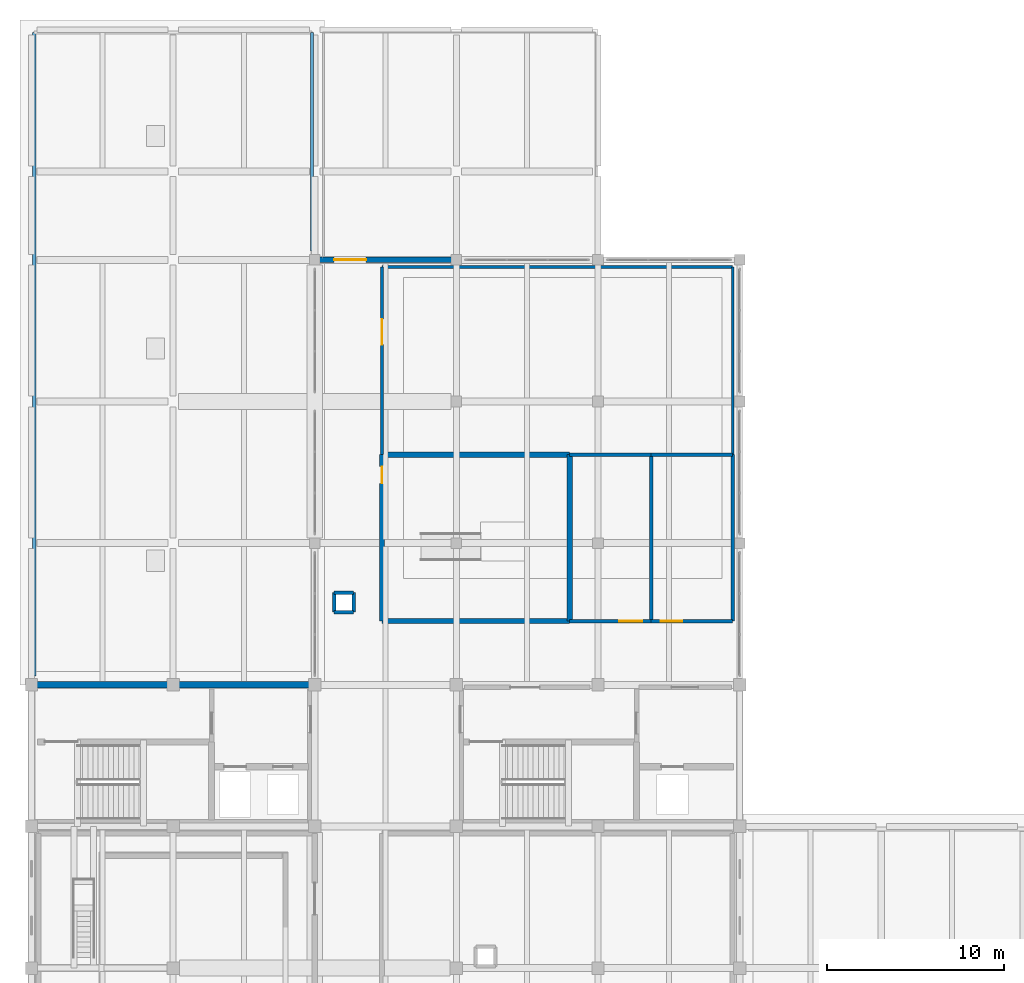
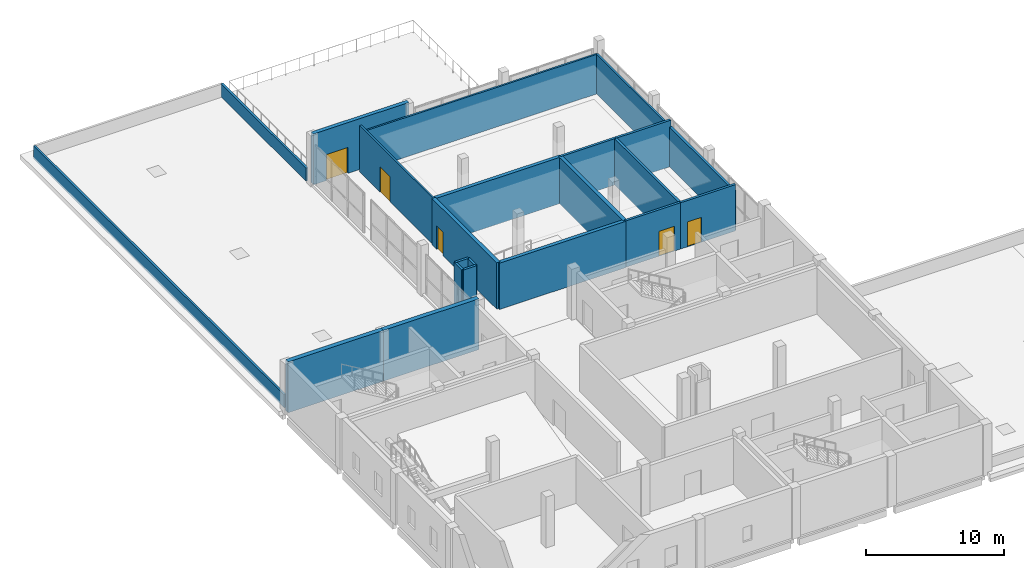
# One storey, part 11 of 14: 22 walls, 5 doors, 5 openings.
"""IFC4 building model written with IfcOpenShell, lengths in metres."""

from ifc_helpers import new_model, si_unit, direction, frame, frame_2d, origin, place, context, subcontext, project, spatial, rectangle, extrude, material, layer, layer_set, type_object, element, fill, save


model = new_model("IFC4")

# Units and contexts
model_context = context("Model", 3, precision=1e-05, world=origin(), true_north=direction((0.0, 1.0)))
body_context = subcontext(model_context, "Body", "Model", "MODEL_VIEW")
ifc_project = project(units=[si_unit("LENGTHUNIT", "METRE"), si_unit("AREAUNIT", "SQUARE_METRE"), si_unit("VOLUMEUNIT", "CUBIC_METRE"), si_unit("PLANEANGLEUNIT", "RADIAN"), si_unit("MASSUNIT", "GRAM", prefix="KILO")], contexts=[model_context])

# Site, building, storey
site_placement = place(None, origin())
site = spatial("IfcSite", under=ifc_project, at=site_placement, CompositionType="ELEMENT")
building_placement = place(site_placement, origin())
building = spatial("IfcBuilding", under=site, at=building_placement, Name="Qorikala Patio Media Centre", CompositionType="ELEMENT")
storey_placement = place(building_placement, frame((0.0, 0.0, 23.39990234375)))
storey = spatial("IfcBuildingStorey", under=building, at=storey_placement, Name="L05", CompositionType="ELEMENT", Elevation=23.39990234375)

# Walls
ifc_material_1 = material(Name="Concrete C35/45", Category="concrete")
ifc_layer_1 = layer(ifc_material_1, 0.300048828125)
ifc_layer_set_1 = layer_set([ifc_layer_1], Name="Concrete C35/45")
wall_type_1 = type_object("IfcWallType", Name="WL-AC-300", PredefinedType="SHEAR", material=ifc_layer_set_1)
wall_1_placement = place(storey_placement, frame((22.800048828125, 38.60009765625, 0.0), z_axis=(0.0, 0.0, 1.0), x_axis=(1.0, 0.0, 0.0)))
element("IfcWall", 1, at=wall_1_placement, inside=storey, type_object=wall_type_1, Name="L05 Interior Wall WINT-L05-OPRJ-S", PredefinedType="SHEAR", context=body_context, shape_type="SweptSolid", body=[
    extrude(rectangle(XDim=10.599853515625, YDim=0.300048828125, at=frame_2d((5.2998046875, 0.0))), origin(), (0.0, 0.0, 1.0), 4.10009765625),
])
wall_2_placement = place(storey_placement, frame((33.39990234375, 38.60009765625, 0.0), z_axis=(0.0, 0.0, 1.0), x_axis=(0.0, 1.0, 0.0)))
element("IfcWall", 2, at=wall_2_placement, inside=storey, type_object=wall_type_1, Name="L05 Interior Wall WINT-L05-OPRJ-E", PredefinedType="SHEAR", context=body_context, shape_type="SweptSolid", body=[
    extrude(rectangle(XDim=9.39990234375, YDim=0.300048828125, at=frame_2d((4.699951171875, 0.0))), origin(), (0.0, 0.0, 1.0), 4.10009765625),
])
wall_3_placement = place(storey_placement, frame((22.800048828125, 48.0, 0.0), z_axis=(0.0, 0.0, 1.0), x_axis=(1.0, 0.0, 0.0)))
element("IfcWall", 3, at=wall_3_placement, inside=storey, type_object=wall_type_1, Name="L05 Interior Wall WINT-L05-OPRJ-N", PredefinedType="SHEAR", context=body_context, shape_type="SweptSolid", body=[
    extrude(rectangle(XDim=10.599853515625, YDim=0.300048828125, at=frame_2d((5.2998046875, 0.0))), origin(), (0.0, 0.0, 1.0), 4.10009765625),
])

# Wall, opening, door
wall_4_placement = place(storey_placement, frame((22.800048828125, 38.60009765625, 0.0), z_axis=(0.0, 0.0, 1.0), x_axis=(0.0, 1.0, 0.0)))
wall_4 = element("IfcWall", 4, at=wall_4_placement, inside=storey, type_object=wall_type_1, Name="L05 Interior Wall WINT-L05-OPRJ-W", PredefinedType="SHEAR", context=body_context, shape_type="SweptSolid", body=[
    extrude(rectangle(XDim=9.39990234375, YDim=0.300048828125, at=frame_2d((4.699951171875, 0.0))), origin(), (0.0, 0.0, 1.0), 4.10009765625),
])
opening_1_placement = place(wall_4_placement, frame((7.77490234375, 0.0, 0.0)))
opening_1 = element("IfcOpeningElement", 5, at=opening_1_placement, cuts=wall_4, Name="Opening D316", PredefinedType="OPENING", context=body_context, shape_type="SweptSolid", body=[
    extrude(rectangle(XDim=0.949951171875, YDim=2.10009765625, at=frame_2d((0.47509765625, 1.050048828125))), frame((0.0, 0.159912109375, 0.0), z_axis=(0.0, -1.0, 0.0), x_axis=(1.0, 0.0, 0.0)), (0.0, 0.0, 1.0), 0.320068359375),
])
ifc_material_2 = material(Name="Acoustic Fire Timber", Category="wood")
door_type_1 = type_object("IfcDoorType", Name="DR-FD60-095X210", OperationType="NOTDEFINED", PredefinedType="DOOR", material=ifc_material_2)
door_1_placement = place(opening_1_placement, origin())
door_1 = element("IfcDoor", 6, at=door_1_placement, inside=storey, type_object=door_type_1, Name="Outdoor Screen Projection Booth Door 105", OperationType="SINGLE_SWING_LEFT", OverallHeight=2.10009765625, OverallWidth=0.949951171875, PredefinedType="DOOR", context=body_context, shape_type="SweptSolid", body=[
    extrude(rectangle(XDim=0.949951171875, YDim=2.10009765625, at=frame_2d((0.47509765625, 1.050048828125))), frame((0.0, 0.02490234375, 0.0), z_axis=(0.0, -1.0, 0.0), x_axis=(1.0, 0.0, 0.0)), (0.0, 0.0, 1.0), 0.050048828125),
])
fill(opening_1, door_1)

ifc_material_3 = material(Name="Ivory Lime Stucco and Concrete C35/45", Category="concrete")
ifc_layer_2 = layer(ifc_material_3, 0.320068359375)
ifc_layer_set_2 = layer_set([ifc_layer_2], Name="Ivory Lime Stucco and Concrete C35/45")
wall_type_2 = type_object("IfcWallType", Name="WL-EXT-320", PredefinedType="SOLIDWALL", material=ifc_layer_set_2)
wall_5_placement = place(storey_placement, frame((19.0, 59.0, 0.0), z_axis=(0.0, 0.0, 1.0), x_axis=(1.0, 0.0, 0.0)))
wall_5 = element("IfcWall", 7, at=wall_5_placement, inside=storey, type_object=wall_type_2, Name="L05 Terrace Access Wall WL-L05-TERR-011", PredefinedType="SOLIDWALL", context=body_context, shape_type="SweptSolid", body=[
    extrude(rectangle(XDim=8.0, YDim=0.320068359375, at=frame_2d((4.0, 0.0))), origin(), (0.0, 0.0, 1.0), 4.5),
])
opening_2_placement = place(wall_5_placement, frame((1.10009765625, 0.0, 0.0)))
opening_2 = element("IfcOpeningElement", 8, at=opening_2_placement, cuts=wall_5, Name="Opening D021", PredefinedType="OPENING", context=body_context, shape_type="SweptSolid", body=[
    extrude(rectangle(XDim=1.800048828125, YDim=2.300048828125, at=frame_2d((0.89990234375, 1.14990234375))), frame((0.0, 0.169921875, 0.0), z_axis=(0.0, -1.0, 0.0), x_axis=(1.0, 0.0, 0.0)), (0.0, 0.0, 1.0), 0.340087890625),
])
ifc_material_4 = material(Name="Bronze Anodised Aluminium and Glass", Category="aluminium")
door_type_2 = type_object("IfcDoorType", Name="DR-TER-180X230", OperationType="DOUBLE_DOOR_SINGLE_SWING", PredefinedType="DOOR", material=ifc_material_4)
door_2_placement = place(opening_2_placement, origin())
door_2 = element("IfcDoor", 9, at=door_2_placement, inside=storey, type_object=door_type_2, Name="L05 Rooftop Terrace Access Door 002", OperationType="DOUBLE_DOOR_SINGLE_SWING", OverallHeight=2.300048828125, OverallWidth=1.800048828125, PredefinedType="DOOR", context=body_context, shape_type="SweptSolid", body=[
    extrude(rectangle(XDim=1.800048828125, YDim=2.300048828125, at=frame_2d((0.89990234375, 1.14990234375))), frame((0.0, 0.02490234375, 0.0), z_axis=(0.0, -1.0, 0.0), x_axis=(1.0, 0.0, 0.0)), (0.0, 0.0, 1.0), 0.050048828125),
])
fill(opening_2, door_2)

# Walls
ifc_layer_3 = layer(ifc_material_3, 0.179931640625)
ifc_layer_set_3 = layer_set([ifc_layer_3], Name="Ivory Lime Stucco and Concrete C35/45")
wall_type_3 = type_object("IfcWallType", Name="WL-PAR-180", PredefinedType="PARAPET", material=ifc_layer_set_3)
wall_6_placement = place(storey_placement, frame((3.14990234375, 35.5, 0.0), z_axis=(0.0, 0.0, 1.0), x_axis=(0.0, 1.0, 0.0)))
element("IfcWall", 10, at=wall_6_placement, inside=storey, type_object=wall_type_3, Name="L05 Roof Parapet Wall 04", PredefinedType="PARAPET", context=body_context, shape_type="SweptSolid", body=[
    extrude(rectangle(XDim=36.35009765625, YDim=0.179931640625, at=frame_2d((18.175048828125, 0.0))), origin(), (0.0, 0.0, 1.0), 1.150146484375),
])
wall_7_placement = place(storey_placement, frame((18.85009765625, 59.5, 0.0), z_axis=(0.0, 0.0, 1.0), x_axis=(0.0, 1.0, 0.0)))
element("IfcWall", 11, at=wall_7_placement, inside=storey, type_object=wall_type_3, Name="L05 Roof Parapet Wall 06", PredefinedType="PARAPET", context=body_context, shape_type="SweptSolid", body=[
    extrude(rectangle(XDim=12.35009765625, YDim=0.179931640625, at=frame_2d((6.175048828125, 0.0))), origin(), (0.0, 0.0, 1.0), 1.150146484375),
])
ifc_material_5 = material(Name="Acoustic Gypsum Stud Partition")
ifc_layer_4 = layer(ifc_material_5, 0.14990234375)
ifc_layer_set_4 = layer_set([ifc_layer_4], Name="Acoustic Gypsum Stud Partition")
wall_type_4 = type_object("IfcWallType", Name="WL-PT-150", PredefinedType="PARTITIONING", material=ifc_layer_set_4)
wall_8_placement = place(storey_placement, frame((42.60009765625, 48.0, 0.0), z_axis=(0.0, 0.0, 1.0), x_axis=(0.0, 1.0, 0.0)))
element("IfcWall", 12, at=wall_8_placement, inside=storey, type_object=wall_type_4, Name="L05 Interior Wall WINT-L05-TLNG-E", PredefinedType="PARTITIONING", context=body_context, shape_type="SweptSolid", body=[
    extrude(rectangle(XDim=10.60009765625, YDim=0.14990234375, at=frame_2d((5.300048828125, 0.0))), origin(), (0.0, 0.0, 1.0), 3.505126953125),
])
wall_9_placement = place(storey_placement, frame((22.800048828125, 58.60009765625, 0.0), z_axis=(0.0, 0.0, 1.0), x_axis=(1.0, 0.0, 0.0)))
element("IfcWall", 13, at=wall_9_placement, inside=storey, type_object=wall_type_4, Name="L05 Interior Wall WINT-L05-TLNG-N", PredefinedType="PARTITIONING", context=body_context, shape_type="SweptSolid", body=[
    extrude(rectangle(XDim=19.800048828125, YDim=0.14990234375, at=frame_2d((9.89990234375, 0.0))), origin(), (0.0, 0.0, 1.0), 3.505126953125),
])

# Wall, opening, door
wall_10_placement = place(storey_placement, frame((22.800048828125, 48.0, 0.0), z_axis=(0.0, 0.0, 1.0), x_axis=(0.0, 1.0, 0.0)))
wall_10 = element("IfcWall", 14, at=wall_10_placement, inside=storey, type_object=wall_type_4, Name="L05 Interior Wall WINT-L05-TLNG-W", PredefinedType="PARTITIONING", context=body_context, shape_type="SweptSolid", body=[
    extrude(rectangle(XDim=10.60009765625, YDim=0.14990234375, at=frame_2d((5.300048828125, 0.0))), origin(), (0.0, 0.0, 1.0), 4.10009765625),
])
opening_3_placement = place(wall_10_placement, frame((6.20703125, 0.0, 0.0)))
opening_3 = element("IfcOpeningElement", 15, at=opening_3_placement, cuts=wall_10, Name="Opening D319", PredefinedType="OPENING", context=body_context, shape_type="SweptSolid", body=[
    extrude(rectangle(XDim=1.449951171875, YDim=2.25, at=frame_2d((0.72509765625, 1.125))), frame((0.0, 0.0849609375, 0.0), z_axis=(0.0, -1.0, 0.0), x_axis=(1.0, 0.0, 0.0)), (0.0, 0.0, 1.0), 0.169921875),
])
ifc_material_6 = material(Name="Solid Andean Cedar Timber", Category="wood")
door_type_3 = type_object("IfcDoorType", Name="DR-IN-145X225", OperationType="DOUBLE_DOOR_SINGLE_SWING", PredefinedType="DOOR", material=ifc_material_6)
door_3_placement = place(opening_3_placement, origin())
door_3 = element("IfcDoor", 16, at=door_3_placement, inside=storey, type_object=door_type_3, Name="Screen Terrace Lounge and Refreshment Bar Door 108", OperationType="DOUBLE_DOOR_SINGLE_SWING", OverallHeight=2.25, OverallWidth=1.449951171875, PredefinedType="DOOR", context=body_context, shape_type="SweptSolid", body=[
    extrude(rectangle(XDim=1.449951171875, YDim=2.25, at=frame_2d((0.72509765625, 1.125))), frame((0.0, 0.02490234375, 0.0), z_axis=(0.0, -1.0, 0.0), x_axis=(1.0, 0.0, 0.0)), (0.0, 0.0, 1.0), 0.050048828125),
])
fill(opening_3, door_3)

ifc_material_7 = material(Name="Acoustic Masonry and Plaster Concrete C30/37", Category="masonry")
ifc_layer_5 = layer(ifc_material_7, 0.199951171875)
ifc_layer_set_5 = layer_set([ifc_layer_5], Name="Acoustic Masonry and Plaster Concrete C30/37")
wall_type_5 = type_object("IfcWallType", Name="WL-ST-200", PredefinedType="PARTITIONING", material=ifc_layer_set_5)
wall_11_placement = place(storey_placement, frame((33.39990234375, 38.60009765625, 0.0), z_axis=(0.0, 0.0, 1.0), x_axis=(1.0, 0.0, 0.0)))
wall_11 = element("IfcWall", 17, at=wall_11_placement, inside=storey, type_object=wall_type_5, Name="L05 Interior Wall WINT-L05-L5AWC-S", PredefinedType="PARTITIONING", context=body_context, shape_type="SweptSolid", body=[
    extrude(rectangle(XDim=4.60009765625, YDim=0.199951171875, at=frame_2d((2.300048828125, 0.0))), origin(), (0.0, 0.0, 1.0), 4.10009765625),
])
opening_4_placement = place(wall_11_placement, frame((2.800048828125, 0.0, 0.0)))
opening_4 = element("IfcOpeningElement", 18, at=opening_4_placement, cuts=wall_11, Name="Opening D317", PredefinedType="OPENING", context=body_context, shape_type="SweptSolid", body=[
    extrude(rectangle(XDim=1.300048828125, YDim=2.199951171875, at=frame_2d((0.64990234375, 1.10009765625))), frame((0.0, 0.10986328125, 0.0), z_axis=(0.0, -1.0, 0.0), x_axis=(1.0, 0.0, 0.0)), (0.0, 0.0, 1.0), 0.219970703125),
])
ifc_material_8 = material(Name="Acoustic Fire Timber and Steel", Category="steel")
door_type_4 = type_object("IfcDoorType", Name="DR-FD60-130X220", OperationType="NOTDEFINED", PredefinedType="DOOR", material=ifc_material_8)
door_4_placement = place(opening_4_placement, origin())
door_4 = element("IfcDoor", 19, at=door_4_placement, inside=storey, type_object=door_type_4, Name="Fifth Level Accessible Toilet Door 106", OperationType="SINGLE_SWING_RIGHT", OverallHeight=2.199951171875, OverallWidth=1.300048828125, PredefinedType="DOOR", context=body_context, shape_type="SweptSolid", body=[
    extrude(rectangle(XDim=1.300048828125, YDim=2.199951171875, at=frame_2d((0.64990234375, 1.10009765625))), frame((0.0, 0.02490234375, 0.0), z_axis=(0.0, -1.0, 0.0), x_axis=(1.0, 0.0, 0.0)), (0.0, 0.0, 1.0), 0.050048828125),
])
fill(opening_4, door_4)

# Walls
wall_12_placement = place(storey_placement, frame((38.0, 38.60009765625, 0.0), z_axis=(0.0, 0.0, 1.0), x_axis=(0.0, 1.0, 0.0)))
element("IfcWall", 20, at=wall_12_placement, inside=storey, type_object=wall_type_5, Name="L05 Interior Wall WINT-L05-L5AWC-E", PredefinedType="PARTITIONING", context=body_context, shape_type="SweptSolid", body=[
    extrude(rectangle(XDim=9.39990234375, YDim=0.199951171875, at=frame_2d((4.699951171875, 0.0))), origin(), (0.0, 0.0, 1.0), 4.10009765625),
])
wall_13_placement = place(storey_placement, frame((33.39990234375, 48.0, 0.0), z_axis=(0.0, 0.0, 1.0), x_axis=(1.0, 0.0, 0.0)))
element("IfcWall", 21, at=wall_13_placement, inside=storey, type_object=wall_type_5, Name="L05 Interior Wall WINT-L05-L5AWC-N", PredefinedType="PARTITIONING", context=body_context, shape_type="SweptSolid", body=[
    extrude(rectangle(XDim=4.60009765625, YDim=0.199951171875, at=frame_2d((2.300048828125, 0.0))), origin(), (0.0, 0.0, 1.0), 4.10009765625),
])

# Wall, opening, door
wall_14_placement = place(storey_placement, frame((38.0, 38.60009765625, 0.0), z_axis=(0.0, 0.0, 1.0), x_axis=(1.0, 0.0, 0.0)))
wall_14 = element("IfcWall", 22, at=wall_14_placement, inside=storey, type_object=wall_type_5, Name="L05 Interior Wall WINT-L05-L5SWC-S", PredefinedType="PARTITIONING", context=body_context, shape_type="SweptSolid", body=[
    extrude(rectangle(XDim=4.60009765625, YDim=0.199951171875, at=frame_2d((2.300048828125, 0.0))), origin(), (0.0, 0.0, 1.0), 4.10009765625),
])
opening_5_placement = place(wall_14_placement, frame((0.550048828125, 0.0, 0.0)))
opening_5 = element("IfcOpeningElement", 23, at=opening_5_placement, cuts=wall_14, Name="Opening D318", PredefinedType="OPENING", context=body_context, shape_type="SweptSolid", body=[
    extrude(rectangle(XDim=1.199951171875, YDim=2.199951171875, at=frame_2d((0.60009765625, 1.10009765625))), frame((0.0, 0.10986328125, 0.0), z_axis=(0.0, -1.0, 0.0), x_axis=(1.0, 0.0, 0.0)), (0.0, 0.0, 1.0), 0.219970703125),
])
door_type_5 = type_object("IfcDoorType", Name="DR-FD60-120X220", OperationType="NOTDEFINED", PredefinedType="DOOR", material=ifc_material_8)
door_5_placement = place(opening_5_placement, origin())
door_5 = element("IfcDoor", 24, at=door_5_placement, inside=storey, type_object=door_type_5, Name="Fifth Level Visitor Toilet Door 107", OperationType="SINGLE_SWING_LEFT", OverallHeight=2.199951171875, OverallWidth=1.199951171875, PredefinedType="DOOR", context=body_context, shape_type="SweptSolid", body=[
    extrude(rectangle(XDim=1.199951171875, YDim=2.199951171875, at=frame_2d((0.60009765625, 1.10009765625))), frame((0.0, 0.02490234375, 0.0), z_axis=(0.0, -1.0, 0.0), x_axis=(1.0, 0.0, 0.0)), (0.0, 0.0, 1.0), 0.050048828125),
])
fill(opening_5, door_5)

# Walls
wall_15_placement = place(storey_placement, frame((42.60009765625, 38.60009765625, 0.0), z_axis=(0.0, 0.0, 1.0), x_axis=(0.0, 1.0, 0.0)))
element("IfcWall", 25, at=wall_15_placement, inside=storey, type_object=wall_type_5, Name="L05 Interior Wall WINT-L05-L5SWC-E", PredefinedType="PARTITIONING", context=body_context, shape_type="SweptSolid", body=[
    extrude(rectangle(XDim=9.39990234375, YDim=0.199951171875, at=frame_2d((4.699951171875, 0.0))), origin(), (0.0, 0.0, 1.0), 3.505126953125),
])
wall_16_placement = place(storey_placement, frame((38.0, 48.0, 0.0), z_axis=(0.0, 0.0, 1.0), x_axis=(1.0, 0.0, 0.0)))
element("IfcWall", 26, at=wall_16_placement, inside=storey, type_object=wall_type_5, Name="L05 Interior Wall WINT-L05-L5SWC-N", PredefinedType="PARTITIONING", context=body_context, shape_type="SweptSolid", body=[
    extrude(rectangle(XDim=4.60009765625, YDim=0.199951171875, at=frame_2d((2.300048828125, 0.0))), origin(), (0.0, 0.0, 1.0), 4.10009765625),
])
for number, where, z_axis, x_axis, name in (
    (27, (20.10009765625, 39.10009765625, 0.0), (0.0, 0.0, 1.0), (1.0, 0.0, 0.0), "L05 Interior Wall RSW-3-L05-S"),
    (28, (20.10009765625, 40.199951171875, 0.0), (0.0, 0.0, 1.0), (1.0, 0.0, 0.0), "L05 Interior Wall RSW-3-L05-N"),
    (29, (20.10009765625, 39.10009765625, 0.0), (0.0, 0.0, 1.0), (0.0, 1.0, 0.0), "L05 Interior Wall RSW-3-L05-W"),
    (30, (21.199951171875, 39.10009765625, 0.0), (0.0, 0.0, 1.0), (0.0, 1.0, 0.0), "L05 Interior Wall RSW-3-L05-E"),
):
    element("IfcWall", number, at=place(storey_placement, frame(where, z_axis=z_axis, x_axis=x_axis)), inside=storey, type_object=wall_type_5, Name=name, PredefinedType="PARTITIONING", context=body_context, shape_type="SweptSolid", body=[
        extrude(rectangle(XDim=1.099853515625, YDim=0.199951171875, at=frame_2d((0.5498046875, 0.0))), origin(), (0.0, 0.0, 1.0), 4.10009765625),
    ])
ifc_material_9 = material(Name="Comanche Granite and Concrete C35/45", Category="masonry")
ifc_layer_6 = layer(ifc_material_9, 0.3798828125)
ifc_layer_set_6 = layer_set([ifc_layer_6], Name="Comanche Granite and Concrete C35/45")
wall_type_6 = type_object("IfcWallType", Name="WL-STONE-380", PredefinedType="SOLIDWALL", material=ifc_layer_set_6)
for number, where, z_axis, x_axis, name in (
    (31, (3.0, 35.0, 0.0), (0.0, 0.0, 1.0), (1.0, 0.0, 0.0), "L05 Core C2 Exterior Shear Wall"),
    (32, (11.0, 35.0, 0.0), (0.0, 0.0, 1.0), (1.0, 0.0, 0.0), "L05 Core C2 Exterior Shear Wall"),
):
    element("IfcWall", number, at=place(storey_placement, frame(where, z_axis=z_axis, x_axis=x_axis)), inside=storey, type_object=wall_type_6, Name=name, PredefinedType="SOLIDWALL", context=body_context, shape_type="SweptSolid", body=[
        extrude(rectangle(XDim=8.0, YDim=0.3798828125, at=frame_2d((4.0, 0.0))), origin(), (0.0, 0.0, 1.0), 4.5),
    ])

save(model, "model.ifc")
